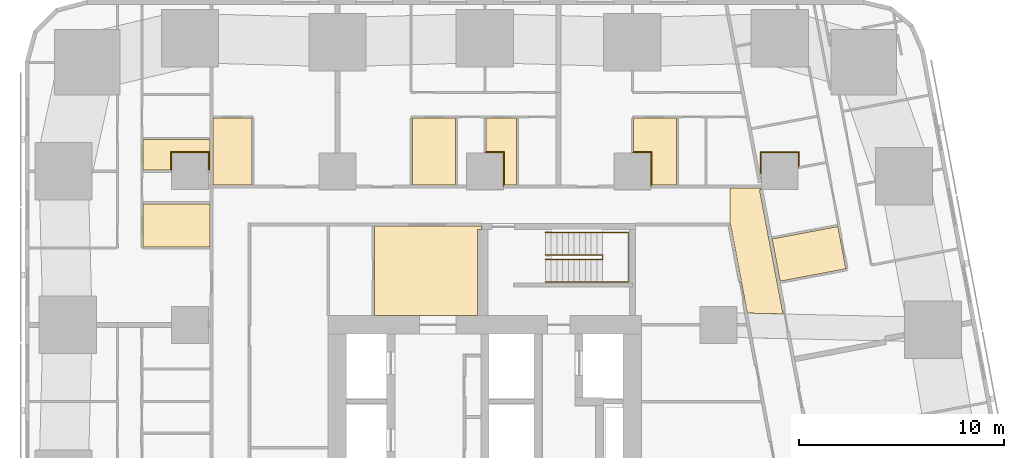
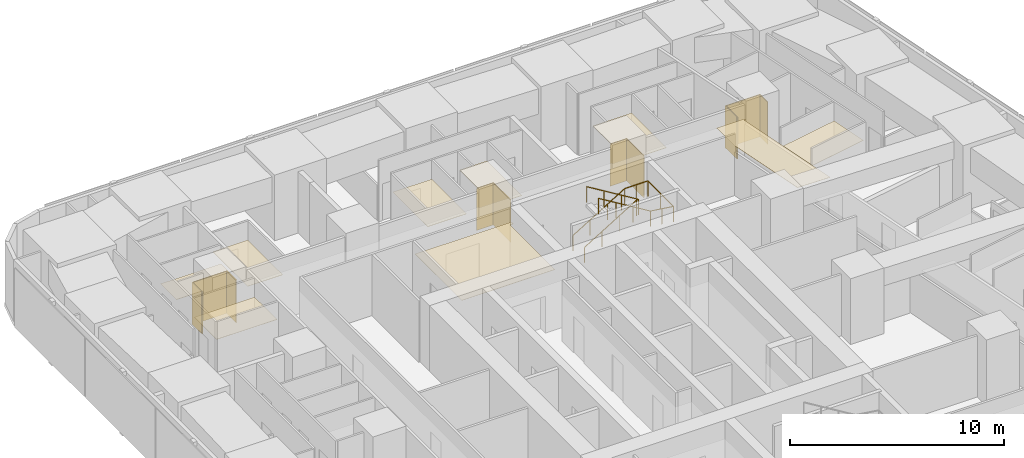
# One storey, part 18 of 18: 13 coverings, 2 railings.
"""IFC4 building model written with IfcOpenShell, lengths in metres."""

from ifc_helpers import new_model, si_unit, direction, frame, origin, origin_2d, place, context, subcontext, project, spatial, polyline, circle, outline, extrude, material, layer, layer_set, type_object, element, save


model = new_model("IFC4")

# Units and contexts
model_context = context("Model", 3, precision=1e-05, world=origin(), true_north=direction((0.0, 1.0)))
body_context = subcontext(model_context, "Body", "Model", "MODEL_VIEW")
ifc_project = project(units=[si_unit("LENGTHUNIT", "METRE"), si_unit("AREAUNIT", "SQUARE_METRE"), si_unit("VOLUMEUNIT", "CUBIC_METRE"), si_unit("PLANEANGLEUNIT", "RADIAN"), si_unit("MASSUNIT", "GRAM", prefix="KILO")], contexts=[model_context])

# Site, building, storey
site_placement = place(None, origin())
site = spatial("IfcSite", under=ifc_project, at=site_placement, CompositionType="ELEMENT")
building_placement = place(site_placement, origin())
building = spatial("IfcBuilding", under=site, at=building_placement, Name="Sheger Commons Tower", CompositionType="ELEMENT")
storey_placement = place(building_placement, frame((0.0, 0.0, 38.75)))
storey = spatial("IfcBuildingStorey", under=building, at=storey_placement, Name="L09", CompositionType="ELEMENT", Elevation=38.75)

# Railings
ifc_material_1 = material(Name="Steel handrail, black powder-coated", Category="steel")
railing_type = type_object("IfcRailingType", Name="HANDRAIL 900", PredefinedType="HANDRAIL", material=ifc_material_1)
railing_1_placement = place(storey_placement, frame((24.550048828125, 33.39990234375, 0.17041015625)))
element("IfcRailing", 1, at=railing_1_placement, inside=storey, type_object=railing_type, Name="Stair S2 handrail L09", PredefinedType="HANDRAIL", context=body_context, shape_type="SweptSolid", body=[
    extrude(circle(Radius=0.02392578125, at=origin_2d()), frame((0.0, 0.0, 0.8759765625), z_axis=(0.854169791009, 0.0, 0.51999420009), x_axis=(0.0, 1.0, 0.0)), (0.0, 0.0, 1.0), 3.278076171875),
    extrude(circle(Radius=0.02392578125, at=origin_2d()), frame((2.800048828125, 0.0, 2.58056640625), z_axis=(0.0, -0.761090297175, 0.648645943136), x_axis=(1.0, 0.0, 0.0)), (0.0, 0.0, 1.0), 0.2626953125),
    extrude(circle(Radius=0.02392578125, at=origin_2d()), frame((2.800048828125, -0.199951171875, 2.7509765625), z_axis=(-0.854169791009, 0.0, 0.51999420009), x_axis=(0.0, -1.0, 0.0)), (0.0, 0.0, 1.0), 3.278076171875),
    extrude(circle(Radius=0.02099609375, at=origin_2d()), origin(), (0.0, 0.0, 1.0), 0.851806640625),
    extrude(circle(Radius=0.02099609375, at=origin_2d()), frame((0.933349609375, 0.0, 0.568115234375)), (0.0, 0.0, 1.0), 0.851806640625),
    extrude(circle(Radius=0.02099609375, at=origin_2d()), frame((1.86669921875, 0.0, 1.136474609375)), (0.0, 0.0, 1.0), 0.851806640625),
    extrude(circle(Radius=0.02099609375, at=origin_2d()), frame((2.800048828125, 0.0, 1.70458984375)), (0.0, 0.0, 1.0), 0.851806640625),
    extrude(circle(Radius=0.02099609375, at=origin_2d()), frame((2.800048828125, -0.199951171875, 1.875)), (0.0, 0.0, 1.0), 0.851806640625),
    extrude(circle(Radius=0.02099609375, at=origin_2d()), frame((1.86669921875, -0.199951171875, 2.443115234375)), (0.0, 0.0, 1.0), 0.851806640625),
    extrude(circle(Radius=0.02099609375, at=origin_2d()), frame((0.933349609375, -0.199951171875, 3.011474609375)), (0.0, 0.0, 1.0), 0.851806640625),
    extrude(circle(Radius=0.02099609375, at=origin_2d()), frame((0.0, -0.199951171875, 3.57958984375)), (0.0, 0.0, 1.0), 0.851806640625),
])
railing_2_placement = place(storey_placement, frame((24.550048828125, 34.5, 0.17041015625)))
element("IfcRailing", 2, at=railing_2_placement, inside=storey, type_object=railing_type, Name="Stair S2 handrail L09", PredefinedType="HANDRAIL", context=body_context, shape_type="SweptSolid", body=[
    extrude(circle(Radius=0.02392578125, at=origin_2d()), frame((0.0, 0.0, 0.8759765625), z_axis=(0.854169791009, 0.0, 0.51999420009), x_axis=(0.0, 1.0, 0.0)), (0.0, 0.0, 1.0), 3.278076171875),
    extrude(circle(Radius=0.02392578125, at=origin_2d()), frame((2.800048828125, 0.0, 2.58056640625), z_axis=(1.0, 0.0, 0.0), x_axis=(0.0, 1.0, 0.0)), (0.0, 0.0, 1.0), 1.25),
    extrude(circle(Radius=0.02392578125, at=origin_2d()), frame((4.050048828125, 0.0, 2.58056640625), z_axis=(0.0, -1.0, 0.0), x_axis=(1.0, 0.0, 0.0)), (0.0, 0.0, 1.0), 2.39990234375),
    extrude(circle(Radius=0.02392578125, at=origin_2d()), frame((4.050048828125, -2.39990234375, 2.58056640625), z_axis=(-0.990834877927, 0.0, 0.135078661092), x_axis=(0.0, -1.0, 0.0)), (0.0, 0.0, 1.0), 1.261474609375),
    extrude(circle(Radius=0.02392578125, at=origin_2d()), frame((2.800048828125, -2.39990234375, 2.7509765625), z_axis=(-0.854169791009, 0.0, 0.51999420009), x_axis=(0.0, -1.0, 0.0)), (0.0, 0.0, 1.0), 3.278076171875),
    extrude(circle(Radius=0.02099609375, at=origin_2d()), origin(), (0.0, 0.0, 1.0), 0.851806640625),
    extrude(circle(Radius=0.02099609375, at=origin_2d()), frame((0.933349609375, 0.0, 0.568115234375)), (0.0, 0.0, 1.0), 0.851806640625),
    extrude(circle(Radius=0.02099609375, at=origin_2d()), frame((1.86669921875, 0.0, 1.136474609375)), (0.0, 0.0, 1.0), 0.851806640625),
    extrude(circle(Radius=0.02099609375, at=origin_2d()), frame((2.800048828125, 0.0, 1.70458984375)), (0.0, 0.0, 1.0), 0.851806640625),
    extrude(circle(Radius=0.02099609375, at=origin_2d()), frame((3.425048828125, 0.0, 1.70458984375)), (0.0, 0.0, 1.0), 0.851806640625),
    extrude(circle(Radius=0.02099609375, at=origin_2d()), frame((4.050048828125, 0.0, 1.70458984375)), (0.0, 0.0, 1.0), 0.851806640625),
    extrude(circle(Radius=0.02099609375, at=origin_2d()), frame((4.050048828125, -1.199951171875, 1.70458984375)), (0.0, 0.0, 1.0), 0.851806640625),
    extrude(circle(Radius=0.02099609375, at=origin_2d()), frame((4.050048828125, -2.39990234375, 1.70458984375)), (0.0, 0.0, 1.0), 0.851806640625),
    extrude(circle(Radius=0.02099609375, at=origin_2d()), frame((3.425048828125, -2.39990234375, 1.789794921875)), (0.0, 0.0, 1.0), 0.851806640625),
    extrude(circle(Radius=0.02099609375, at=origin_2d()), frame((2.800048828125, -2.39990234375, 1.875)), (0.0, 0.0, 1.0), 0.851806640625),
    extrude(circle(Radius=0.02099609375, at=origin_2d()), frame((1.86669921875, -2.39990234375, 2.443115234375)), (0.0, 0.0, 1.0), 0.851806640625),
    extrude(circle(Radius=0.02099609375, at=origin_2d()), frame((0.933349609375, -2.39990234375, 3.011474609375)), (0.0, 0.0, 1.0), 0.851806640625),
    extrude(circle(Radius=0.02099609375, at=origin_2d()), frame((0.0, -2.39990234375, 3.57958984375)), (0.0, 0.0, 1.0), 0.851806640625),
])

# Coverings
ifc_material_2 = material(Name="Moisture-resistant gypsum plasterboard 15 mm on a suspended galvanised steel grid", Category="steel")
ifc_layer_1 = layer(ifc_material_2, 0.014892578125)
ifc_layer_set_1 = layer_set([ifc_layer_1], Name="MOISTURE-RESISTANT CEILING 15")
covering_type_1 = type_object("IfcCoveringType", Name="MOISTURE-RESISTANT CEILING 15", PredefinedType="CEILING", material=ifc_layer_set_1)
covering_1_placement = place(storey_placement, frame((0.0, 0.0, 2.39990234375)))
element("IfcCovering", 3, at=covering_1_placement, inside=storey, type_object=covering_type_1, Name="L09-03.B1 ceiling", PredefinedType="CEILING", context=body_context, shape_type="SweptSolid", body=[
    extrude(outline(polyline([(4.905029296875, 33.804931640625), (8.169921875, 33.804931640625), (8.169921875, 35.905029296875), (4.905029296875, 35.905029296875), (4.905029296875, 33.804931640625)])), origin(), (0.0, 0.0, 1.0), 0.01513671875),
])
covering_2_placement = place(storey_placement, frame((0.0, 0.0, 2.39990234375)))
element("IfcCovering", 4, at=covering_2_placement, inside=storey, type_object=covering_type_1, Name="L09-03.B2 ceiling", PredefinedType="CEILING", context=body_context, shape_type="SweptSolid", body=[
    extrude(outline(polyline([(4.905029296875, 37.554931640625), (6.294921875, 37.554931640625), (6.294921875, 38.405029296875), (8.10498046875, 38.405029296875), (8.10498046875, 37.554931640625), (8.169921875, 37.554931640625), (8.169921875, 39.044921875), (4.905029296875, 39.044921875), (4.905029296875, 37.554931640625)])), origin(), (0.0, 0.0, 1.0), 0.01513671875),
])
covering_3_placement = place(storey_placement, frame((0.0, 0.0, 2.39990234375)))
element("IfcCovering", 5, at=covering_3_placement, inside=storey, type_object=covering_type_1, Name="L09-08.B1 ceiling", PredefinedType="CEILING", context=body_context, shape_type="SweptSolid", body=[
    extrude(outline(polyline([(36.01708984375, 32.1298828125), (39.22412109375, 32.736083984375), (38.833984375, 34.800048828125), (35.626953125, 34.194091796875), (36.01708984375, 32.1298828125)])), origin(), (0.0, 0.0, 1.0), 0.01513671875),
])
covering_4_placement = place(storey_placement, frame((0.0, 0.0, 2.39990234375)))
element("IfcCovering", 6, at=covering_4_placement, inside=storey, type_object=covering_type_1, Name="L09-11.B1 ceiling", PredefinedType="CEILING", context=body_context, shape_type="SweptSolid", body=[
    extrude(outline(polyline([(8.330078125, 36.830078125), (10.22412109375, 36.830078125), (10.22412109375, 40.094970703125), (8.330078125, 40.094970703125), (8.330078125, 36.830078125)])), origin(), (0.0, 0.0, 1.0), 0.01513671875),
])
covering_5_placement = place(storey_placement, frame((0.0, 0.0, 2.39990234375)))
element("IfcCovering", 7, at=covering_5_placement, inside=storey, type_object=covering_type_1, Name="L09-12.B1 ceiling", PredefinedType="CEILING", context=body_context, shape_type="SweptSolid", body=[
    extrude(outline(polyline([(18.054931640625, 36.830078125), (20.155029296875, 36.830078125), (20.155029296875, 40.094970703125), (18.054931640625, 40.094970703125), (18.054931640625, 36.830078125)])), origin(), (0.0, 0.0, 1.0), 0.01513671875),
])
covering_6_placement = place(storey_placement, frame((0.0, 0.0, 2.39990234375)))
element("IfcCovering", 8, at=covering_6_placement, inside=storey, type_object=covering_type_1, Name="L09-12.B2 ceiling", PredefinedType="CEILING", context=body_context, shape_type="SweptSolid", body=[
    extrude(outline(polyline([(22.5048828125, 36.830078125), (23.14501953125, 36.830078125), (23.14501953125, 40.094970703125), (21.655029296875, 40.094970703125), (21.655029296875, 38.405029296875), (22.5048828125, 38.405029296875), (22.5048828125, 36.830078125)])), origin(), (0.0, 0.0, 1.0), 0.01513671875),
])
covering_7_placement = place(storey_placement, frame((0.0, 0.0, 2.39990234375)))
element("IfcCovering", 9, at=covering_7_placement, inside=storey, type_object=covering_type_1, Name="L09-13.B1 ceiling", PredefinedType="CEILING", context=body_context, shape_type="SweptSolid", body=[
    extrude(outline(polyline([(29.705078125, 36.830078125), (30.955078125, 36.830078125), (30.955078125, 40.094970703125), (28.85498046875, 40.094970703125), (28.85498046875, 38.405029296875), (29.705078125, 38.405029296875), (29.705078125, 36.830078125)])), origin(), (0.0, 0.0, 1.0), 0.01513671875),
])
ifc_material_3 = material(Name="Gypsum plasterboard 15 mm on a suspended steel grid", Category="steel")
ifc_layer_2 = layer(ifc_material_3, 0.014892578125)
ifc_layer_set_2 = layer_set([ifc_layer_2], Name="SUSPENDED CEILING 15")
covering_type_2 = type_object("IfcCoveringType", Name="SUSPENDED CEILING 15", PredefinedType="CEILING", material=ifc_layer_set_2)
covering_8_placement = place(storey_placement, frame((0.0, 0.0, 2.699951171875)))
element("IfcCovering", 10, at=covering_8_placement, inside=storey, type_object=covering_type_2, Name="L09-CO ceiling", PredefinedType="CEILING", context=body_context, shape_type="SweptSolid", body=[
    extrude(outline(polyline([(36.155029296875, 30.533935546875), (35.013916015625, 36.574951171875), (35.092041015625, 36.590087890625), (35.076904296875, 36.669921875), (33.572998046875, 36.669921875), (33.572998046875, 34.947998046875), (33.571044921875, 34.947998046875), (33.589111328125, 34.85205078125), (33.60595703125, 34.85498046875), (34.4150390625, 30.572998046875), (36.155029296875, 30.533935546875)])), origin(), (0.0, 0.0, 1.0), 0.01513671875),
])
covering_9_placement = place(storey_placement, frame((0.0, 0.0, 2.699951171875)))
element("IfcCovering", 11, at=covering_9_placement, inside=storey, type_object=covering_type_2, Name="L09-SVN1 ceiling", PredefinedType="CEILING", context=body_context, shape_type="SweptSolid", body=[
    extrude(outline(polyline([(16.217041015625, 30.455078125), (21.2451171875, 30.455078125), (21.2451171875, 34.655029296875), (21.445068359375, 34.655029296875), (21.445068359375, 34.83203125), (16.217041015625, 34.83203125), (16.217041015625, 30.455078125)])), origin(), (0.0, 0.0, 1.0), 0.01513671875),
])
ifc_material_4 = material(Name="Moisture-resistant gypsum board 12.5 mm on 25 mm treated timber battens, tanked and tiled", Category="wood")
ifc_layer_3 = layer(ifc_material_4, 0.050048828125)
ifc_layer_set_3 = layer_set([ifc_layer_3], Name="WET-ROOM COLUMN LINING")
covering_type_3 = type_object("IfcCoveringType", Name="WET-ROOM COLUMN LINING", PredefinedType="CLADDING", material=ifc_layer_set_3)
covering_10_placement = place(storey_placement, origin())
element("IfcCovering", 12, at=covering_10_placement, inside=storey, type_object=covering_type_3, Name="Shower room column lining C8 L09", PredefinedType="CLADDING", context=body_context, shape_type="SweptSolid", body=[
    extrude(outline(polyline([(8.14990234375, 38.449951171875), (8.14990234375, 37.550048828125), (8.10107421875, 37.550048828125), (8.10107421875, 37.5), (8.10009765625, 37.5), (8.10009765625, 38.39990234375), (6.300048828125, 38.39990234375), (6.300048828125, 37.5), (6.299072265625, 37.5), (6.299072265625, 37.550048828125), (6.25, 37.550048828125), (6.25, 38.449951171875), (8.14990234375, 38.449951171875)])), origin(), (0.0, 0.0, 1.0), 2.39990234375),
])
covering_11_placement = place(storey_placement, origin())
element("IfcCovering", 13, at=covering_11_placement, inside=storey, type_object=covering_type_3, Name="Shower room column lining C8 L09", PredefinedType="CLADDING", context=body_context, shape_type="SweptSolid", body=[
    extrude(outline(polyline([(22.550048828125, 36.824951171875), (22.5009765625, 36.824951171875), (22.5009765625, 36.75), (22.5, 36.75), (22.5, 38.39990234375), (21.60009765625, 38.39990234375), (21.60009765625, 38.40087890625), (21.64990234375, 38.40087890625), (21.64990234375, 38.449951171875), (22.550048828125, 38.449951171875), (22.550048828125, 36.824951171875)])), origin(), (0.0, 0.0, 1.0), 2.39990234375),
])
covering_12_placement = place(storey_placement, origin())
element("IfcCovering", 14, at=covering_12_placement, inside=storey, type_object=covering_type_3, Name="Bathroom column lining C8 L09", PredefinedType="CLADDING", context=body_context, shape_type="SweptSolid", body=[
    extrude(outline(polyline([(29.75, 36.824951171875), (29.700927734375, 36.824951171875), (29.700927734375, 36.75), (29.699951171875, 36.75), (29.699951171875, 38.39990234375), (28.800048828125, 38.39990234375), (28.800048828125, 38.40087890625), (28.85009765625, 38.40087890625), (28.85009765625, 38.449951171875), (29.75, 38.449951171875), (29.75, 36.824951171875)])), origin(), (0.0, 0.0, 1.0), 2.39990234375),
])
covering_13_placement = place(storey_placement, origin())
element("IfcCovering", 15, at=covering_13_placement, inside=storey, type_object=covering_type_3, Name="Laundry room column lining C8 L09", PredefinedType="CLADDING", context=body_context, shape_type="SweptSolid", body=[
    extrude(outline(polyline([(36.949951171875, 38.449951171875), (36.949951171875, 37.72998046875), (36.90087890625, 37.720947265625), (36.909912109375, 37.672119140625), (36.89990234375, 37.669921875), (36.89990234375, 38.39990234375), (35.10009765625, 38.39990234375), (35.10009765625, 37.330078125), (35.090087890625, 37.327880859375), (35.0810546875, 37.376953125), (35.050048828125, 37.37109375), (35.050048828125, 38.449951171875), (36.949951171875, 38.449951171875)])), origin(), (0.0, 0.0, 1.0), 2.39990234375),
])

save(model, "model.ifc")
